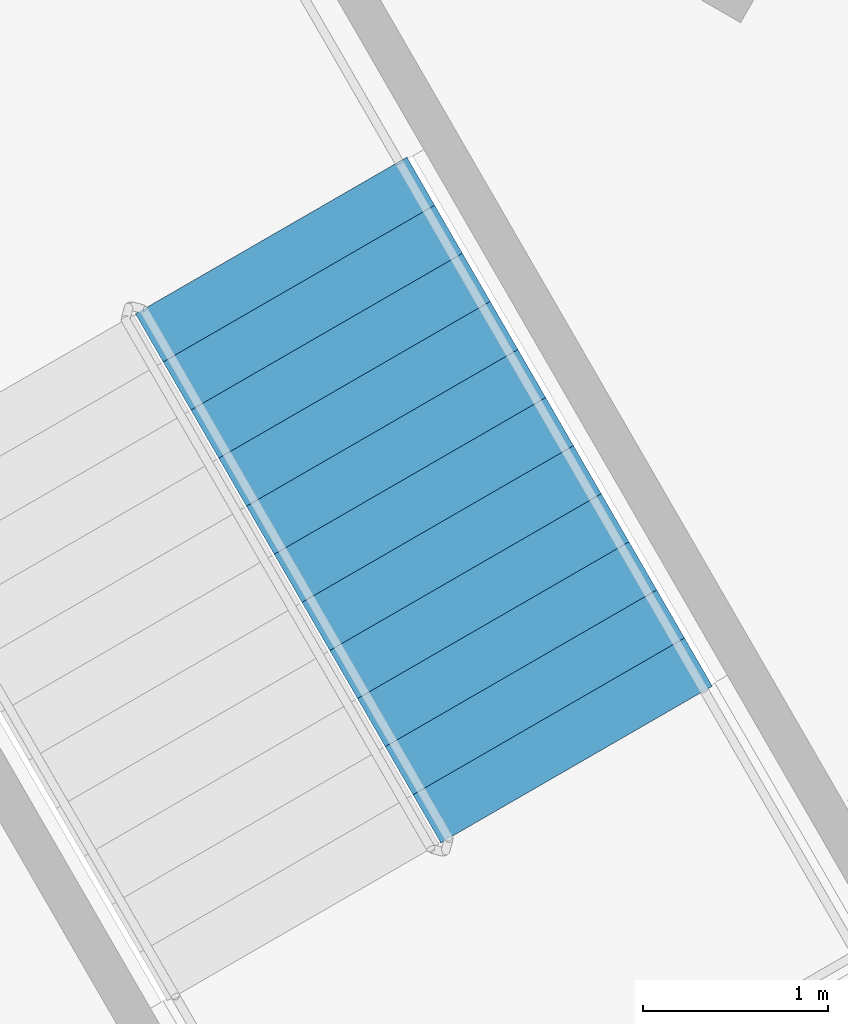
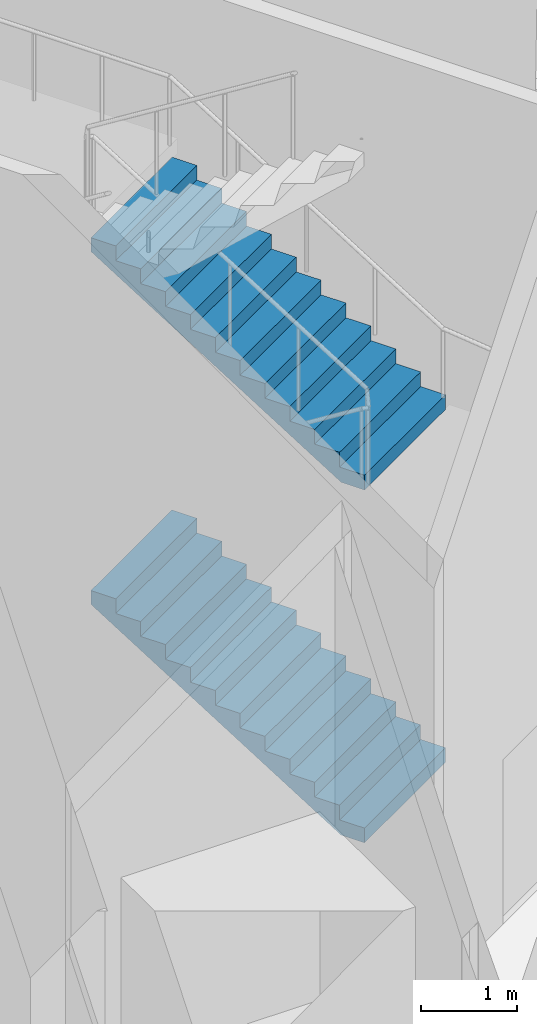
# One storey, part 19 of 22: 2 stair flights, 1 element without a shape of its own.
"""IFC4 building model written with IfcOpenShell, lengths in metres."""

from ifc_helpers import new_model, si_unit, direction, frame, origin, place, context, subcontext, project, spatial, polyline, outline, extrude, material, type_object, element, aggregate, save


model = new_model("IFC4")

# Units and contexts
model_context = context("Model", 3, precision=1e-05, world=origin(), true_north=direction((0.0, 1.0)))
body_context = subcontext(model_context, "Body", "Model", "MODEL_VIEW")
ifc_project = project(units=[si_unit("LENGTHUNIT", "METRE"), si_unit("AREAUNIT", "SQUARE_METRE"), si_unit("VOLUMEUNIT", "CUBIC_METRE"), si_unit("PLANEANGLEUNIT", "RADIAN"), si_unit("MASSUNIT", "GRAM", prefix="KILO")], contexts=[model_context])

# Site, building, storey
site_placement = place(None, origin())
site = spatial("IfcSite", under=ifc_project, at=site_placement, CompositionType="ELEMENT")
building_placement = place(site_placement, origin())
building = spatial("IfcBuilding", under=site, at=building_placement, Name="Tanit Gate Tower", CompositionType="ELEMENT")
storey_placement = place(building_placement, origin())
storey = spatial("IfcBuildingStorey", under=building, at=storey_placement, Name="L00", CompositionType="ELEMENT", Elevation=0.0)

# Stair, stair flights
ifc_material_1 = material(Name="Concrete C40/50", Category="concrete")
stair_type = type_object("IfcStairType", Name="INT-STAIR-EXIT", PredefinedType="HALF_TURN_STAIR", material=ifc_material_1)
stair_placement = place(storey_placement, origin())
stair = element("IfcStair", 1, at=stair_placement, inside=storey, type_object=stair_type, Name="L00 STAIR S2", PredefinedType="HALF_TURN_STAIR")
ifc_material_2 = material(Name="Concrete C40/50", Category="concrete")
stair_flight_type = type_object("IfcStairFlightType", Name="INT-STAIR-FLIGHT", PredefinedType="STRAIGHT", material=ifc_material_2)
stair_flight_1_placement = place(storey_placement, frame((-5.808349609375, 11.766357421875, 0.0), z_axis=(0.0, 0.0, 1.0), x_axis=(-0.5, 0.866025403784, 0.0)))
stair_flight_1 = element("IfcStairFlight", 2, at=stair_flight_1_placement, type_object=stair_flight_type, Name="S2 flight 1", NumberOfRisers=12, NumberOfTreads=11, PredefinedType="STRAIGHT", RiserHeight=0.1875, TreadLength=0.3, context=body_context, shape_type="SweptSolid", body=[
    extrude(outline(polyline([(0.0, 0.0), (0.0, 0.1875), (0.300048828125, 0.1875), (0.300048828125, 0.375), (0.60009765625, 0.375), (0.60009765625, 0.5625), (0.89990234375, 0.5625), (0.89990234375, 0.75), (1.199951171875, 0.75), (1.199951171875, 0.9375), (1.5, 0.9375), (1.5, 1.125), (1.800048828125, 1.125), (1.800048828125, 1.3125), (2.10009765625, 1.3125), (2.10009765625, 1.5), (2.39990234375, 1.5), (2.39990234375, 1.6875), (2.699951171875, 1.6875), (2.699951171875, 1.875), (3.0, 1.875), (3.0, 2.0625), (3.300048828125, 2.0625), (3.300048828125, 2.25), (3.300048828125, 1.8857421875), (0.28271484375, 0.0), (0.0, 0.0)])), frame((0.0, 0.84716796875, 0.0), z_axis=(0.0, -1.0, 0.0), x_axis=(1.0, 0.0, 0.0)), (0.0, 0.0, 1.0), 1.694091796875),
])
stair_flight_2_placement = place(storey_placement, frame((-5.808349609375, 11.766357421875, 4.5), z_axis=(0.0, 0.0, 1.0), x_axis=(-0.5, 0.866025403784, 0.0)))
stair_flight_2 = element("IfcStairFlight", 3, at=stair_flight_2_placement, type_object=stair_flight_type, Name="S2 flight 3", NumberOfRisers=12, NumberOfTreads=11, PredefinedType="STRAIGHT", RiserHeight=0.1875, TreadLength=0.3, context=body_context, shape_type="SweptSolid", body=[
    extrude(outline(polyline([(0.0, 0.0), (0.0, 0.1875), (0.300048828125, 0.1875), (0.300048828125, 0.375), (0.60009765625, 0.375), (0.60009765625, 0.5625), (0.89990234375, 0.5625), (0.89990234375, 0.75), (1.199951171875, 0.75), (1.199951171875, 0.9375), (1.5, 0.9375), (1.5, 1.125), (1.800048828125, 1.125), (1.800048828125, 1.3125), (2.10009765625, 1.3125), (2.10009765625, 1.5), (2.39990234375, 1.5), (2.39990234375, 1.6875), (2.699951171875, 1.6875), (2.699951171875, 1.875), (3.0, 1.875), (3.0, 2.0625), (3.300048828125, 2.0625), (3.300048828125, 2.25), (3.300048828125, 1.8857421875), (0.28271484375, 0.0), (0.0, 0.0)])), frame((0.0, 0.84716796875, 0.0), z_axis=(0.0, -1.0, 0.0), x_axis=(1.0, 0.0, 0.0)), (0.0, 0.0, 1.0), 1.694091796875),
])
aggregate(stair, [stair_flight_1, stair_flight_2])

save(model, "model.ifc")
